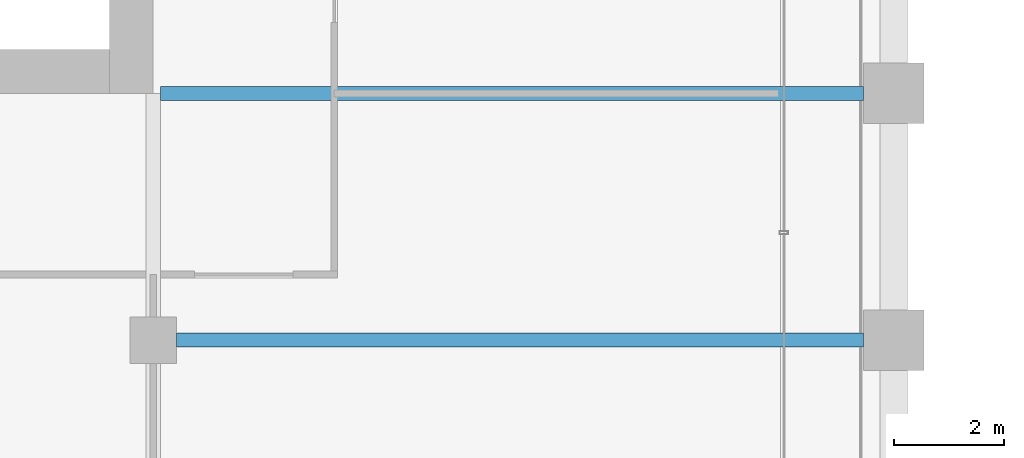
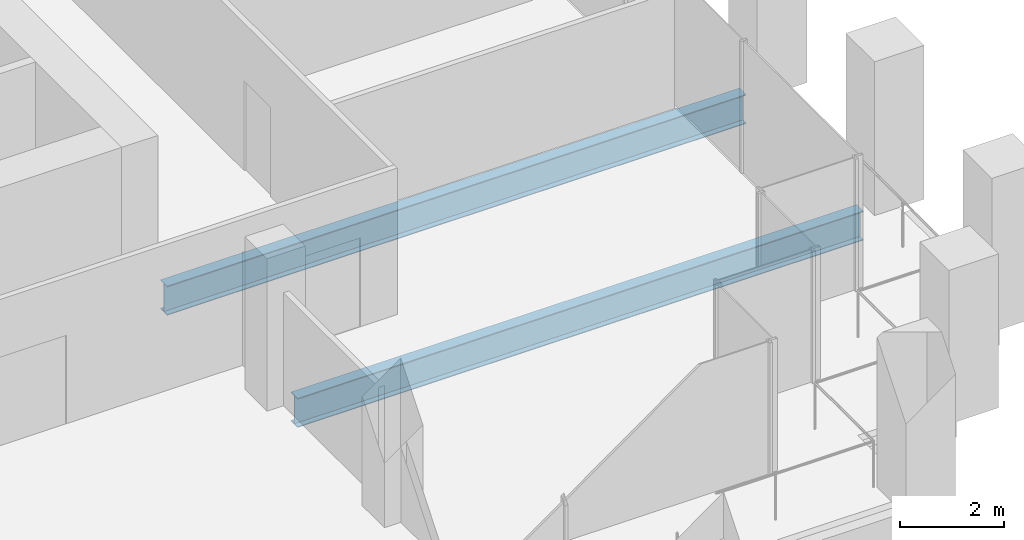
# One storey, part 17 of 56: 2 beams.
"""IFC4 building model written with IfcOpenShell, lengths in metres."""

from ifc_helpers import new_model, si_unit, direction, frame, origin, origin_2d, place, context, subcontext, project, spatial, i_section, extrude, material, material_profile, profile_set, type_object, element, save


model = new_model("IFC4")

# Units and contexts
model_context = context("Model", 3, precision=1e-05, world=origin(), true_north=direction((0.0, 1.0)))
body_context = subcontext(model_context, "Body", "Model", "MODEL_VIEW")
ifc_project = project(units=[si_unit("LENGTHUNIT", "METRE"), si_unit("AREAUNIT", "SQUARE_METRE"), si_unit("VOLUMEUNIT", "CUBIC_METRE"), si_unit("PLANEANGLEUNIT", "RADIAN"), si_unit("MASSUNIT", "GRAM", prefix="KILO")], contexts=[model_context])

# Site, building, storey
site_placement = place(None, origin())
site = spatial("IfcSite", under=ifc_project, at=site_placement, CompositionType="ELEMENT")
building_placement = place(site_placement, origin())
building = spatial("IfcBuilding", under=site, at=building_placement, Name="Altepetl Exchange Towers", CompositionType="ELEMENT")
storey_placement = place(building_placement, frame((0.0, 0.0, 79.800048828125)))
storey = spatial("IfcBuildingStorey", under=building, at=storey_placement, Name="L19", CompositionType="ELEMENT", Elevation=79.800048828125)

# Beams
ifc_material = material(Name="Steel S355", Category="steel")
ifc_material_profile = material_profile(ifc_material, i_section(OverallWidth=0.25390625, OverallDepth=0.68408203125, WebThickness=0.012451171875, FlangeThickness=0.018798828125, at=origin_2d()), Name="W27X94")
ifc_profile_set = profile_set([ifc_material_profile], Name="Steel S355")
beam_type = type_object("IfcBeamType", Name="Floor beam W27X94", PredefinedType="BEAM", material=ifc_profile_set)
beam_1_placement = place(storey_placement, frame((58.925048828125, 36.0, -0.491943359375), z_axis=(1.0, 0.0, 0.0), x_axis=(0.0, 1.0, 0.0)))
element("IfcBeam", 1, at=beam_1_placement, inside=storey, type_object=beam_type, Name="bm:A:L19:007", PredefinedType="BEAM", context=body_context, shape_type="SweptSolid", body=[
    extrude(i_section(OverallWidth=0.25390625, OverallDepth=0.68408203125, WebThickness=0.012451171875, FlangeThickness=0.018798828125, at=origin_2d()), origin(), (0.0, 0.0, 1.0), 12.52490234375),
])
beam_2_placement = place(storey_placement, frame((58.634033203125, 40.5, -0.491943359375), z_axis=(1.0, 0.0, 0.0), x_axis=(0.0, 1.0, 0.0)))
element("IfcBeam", 2, at=beam_2_placement, inside=storey, type_object=beam_type, Name="bm:A:L19:008", PredefinedType="BEAM", context=body_context, shape_type="SweptSolid", body=[
    extrude(i_section(OverallWidth=0.25390625, OverallDepth=0.68408203125, WebThickness=0.012451171875, FlangeThickness=0.018798828125, at=origin_2d()), origin(), (0.0, 0.0, 1.0), 12.81591796875),
])

save(model, "model.ifc")
